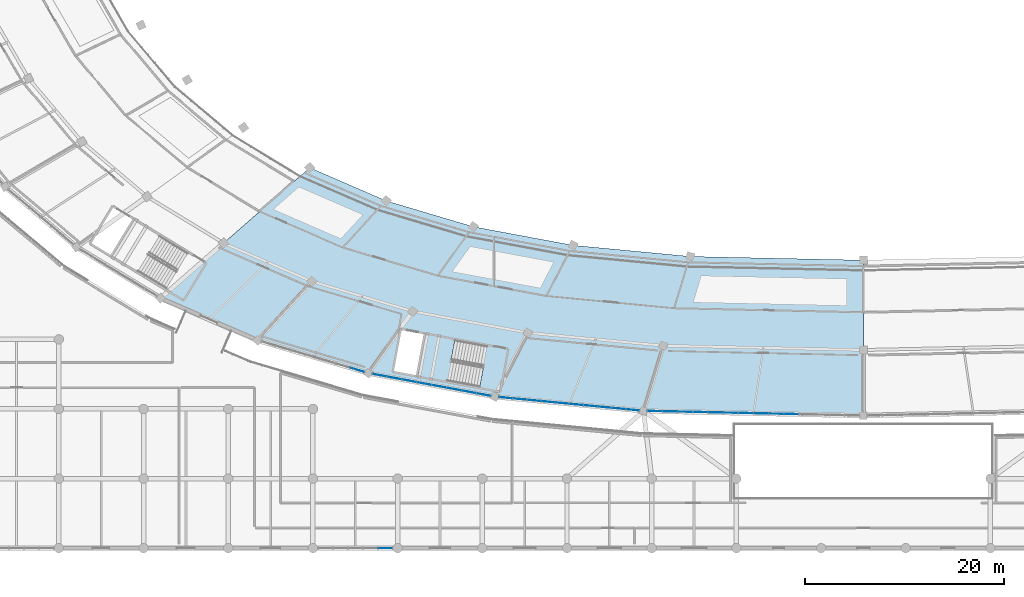
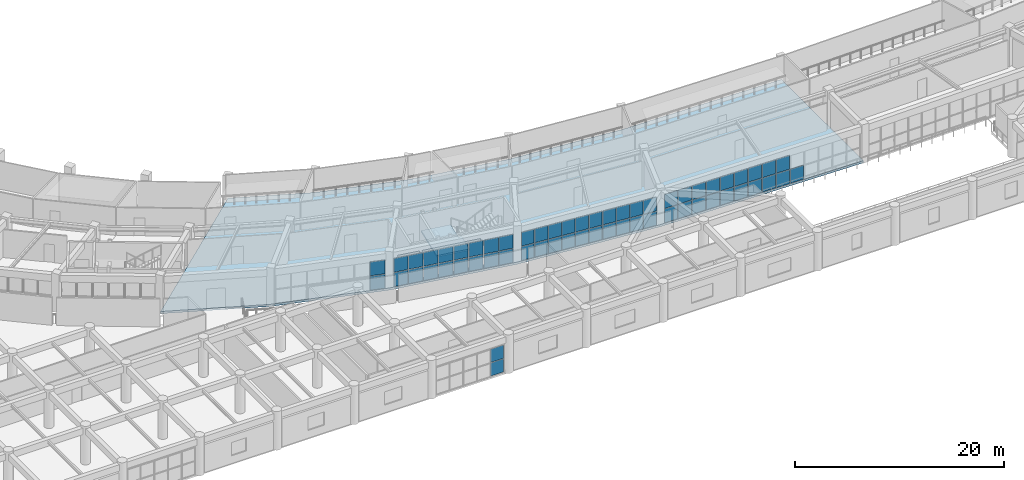
# One storey, part 73 of 141: 59 plates, 2 slabs, 6 elements without a shape of their own.
"""IFC4 building model written with IfcOpenShell, lengths in metres."""

from ifc_helpers import new_model, si_unit, direction, frame, origin, origin_2d, place, context, subcontext, project, spatial, polyline, rectangle, outline, extrude, material, layer, layer_set, type_object, element, aggregate, save


model = new_model("IFC4")

# Units and contexts
model_context = context("Model", 3, precision=1e-05, world=origin(), true_north=direction((0.0, 1.0)))
body_context = subcontext(model_context, "Body", "Model", "MODEL_VIEW")
ifc_project = project(units=[si_unit("LENGTHUNIT", "METRE"), si_unit("AREAUNIT", "SQUARE_METRE"), si_unit("VOLUMEUNIT", "CUBIC_METRE"), si_unit("PLANEANGLEUNIT", "RADIAN"), si_unit("MASSUNIT", "GRAM", prefix="KILO")], contexts=[model_context])

# Site, building, storey
site_placement = place(None, origin())
site = spatial("IfcSite", under=ifc_project, at=site_placement, CompositionType="ELEMENT")
building_placement = place(site_placement, origin())
building = spatial("IfcBuilding", under=site, at=building_placement, Name="Mphavela Belvedere Stadium", CompositionType="ELEMENT")
storey_placement = place(building_placement, frame((0.0, 0.0, 14.699951171875)))
storey = spatial("IfcBuildingStorey", under=building, at=storey_placement, Name="L03", CompositionType="ELEMENT", Elevation=14.699951171875)

# Curtain wall, plates
ifc_material_1 = material(Name="Anodised bronze unitised curtain wall framing")
ifc_layer_1 = layer(ifc_material_1, 0.18994140625)
ifc_layer_set_1 = layer_set([ifc_layer_1], Name="Anodised bronze unitised curtain wall framing")
curtain_wall_type_1 = type_object("IfcCurtainWallType", Name="CW-UNIT-03", PredefinedType="USERDEFINED", material=ifc_layer_set_1)
curtain_wall_1_placement = place(storey_placement, origin())
curtain_wall_1 = element("IfcCurtainWall", 1, at=curtain_wall_1_placement, inside=storey, type_object=curtain_wall_type_1, Name="Belvedere colonnade curtain wall L03-33", ObjectType="UNITISED CURTAIN WALL", PredefinedType="USERDEFINED")
ifc_material_2 = material(Name="Solar-control double glazing", Category="glass")
ifc_layer_2 = layer(ifc_material_2, 0.031982421875)
ifc_layer_set_2 = layer_set([ifc_layer_2], Name="Solar-control double glazing")
plate_type = type_object("IfcPlateType", Name="CWP-SOLAR-GLASS", PredefinedType="CURTAIN_PANEL", material=ifc_layer_set_2)
plate_1_placement = place(storey_placement, frame((64.081298828125, 17.934814453125, 0.06005859375), z_axis=(0.0, 0.0, 1.0), x_axis=(0.958656747975, -0.284565000591, 0.0)))
plate_1 = element("IfcPlate", 2, at=plate_1_placement, type_object=plate_type, Name="CW-03 panel 7.1", PredefinedType="CURTAIN_PANEL", context=body_context, shape_type="SweptSolid", body=[
    extrude(rectangle(XDim=1.45556640625, YDim=0.031982421875, at=origin_2d()), origin(), (0.0, 0.0, 1.0), 1.6201171875),
])
plate_2_placement = place(storey_placement, frame((64.081298828125, 17.934814453125, 1.739990234375), z_axis=(0.0, 0.0, 1.0), x_axis=(0.958656747975, -0.284565000591, 0.0)))
plate_2 = element("IfcPlate", 3, at=plate_2_placement, type_object=plate_type, Name="CW-03 panel 7.2", PredefinedType="CURTAIN_PANEL", context=body_context, shape_type="SweptSolid", body=[
    extrude(rectangle(XDim=1.45556640625, YDim=0.031982421875, at=origin_2d()), origin(), (0.0, 0.0, 1.0), 1.6201171875),
])
aggregate(curtain_wall_1, [plate_1, plate_2])

ifc_material_3 = material(Name="Anodised bronze unitised curtain wall framing")
ifc_layer_3 = layer(ifc_material_3, 0.195068359375)
ifc_layer_set_3 = layer_set([ifc_layer_3], Name="Anodised bronze unitised curtain wall framing")
curtain_wall_type_2 = type_object("IfcCurtainWallType", Name="CW-UNIT-04", PredefinedType="USERDEFINED", material=ifc_layer_set_3)
curtain_wall_2_placement = place(storey_placement, origin())
curtain_wall_2 = element("IfcCurtainWall", 4, at=curtain_wall_2_placement, inside=storey, type_object=curtain_wall_type_2, Name="Belvedere colonnade curtain wall L03-34", ObjectType="UNITISED CURTAIN WALL", PredefinedType="USERDEFINED")
plate_3_placement = place(storey_placement, frame((66.3310546875, 17.39208984375, 0.06005859375), z_axis=(0.0, 0.0, 1.0), x_axis=(0.983096546836, -0.18308790129, 0.0)))
plate_3 = element("IfcPlate", 5, at=plate_3_placement, type_object=plate_type, Name="CW-04 panel 1.1", PredefinedType="CURTAIN_PANEL", context=body_context, shape_type="SweptSolid", body=[
    extrude(rectangle(XDim=1.427734375, YDim=0.031982421875, at=origin_2d()), origin(), (0.0, 0.0, 1.0), 1.6201171875),
])
plate_4_placement = place(storey_placement, frame((66.3310546875, 17.39208984375, 1.739990234375), z_axis=(0.0, 0.0, 1.0), x_axis=(0.983096546836, -0.18308790129, 0.0)))
plate_4 = element("IfcPlate", 6, at=plate_4_placement, type_object=plate_type, Name="CW-04 panel 1.2", PredefinedType="CURTAIN_PANEL", context=body_context, shape_type="SweptSolid", body=[
    extrude(rectangle(XDim=1.427734375, YDim=0.031982421875, at=origin_2d()), origin(), (0.0, 0.0, 1.0), 1.6201171875),
])
plate_5_placement = place(storey_placement, frame((67.814453125, 17.115966796875, 0.06005859375), z_axis=(0.0, 0.0, 1.0), x_axis=(0.983096546836, -0.18308790129, 0.0)))
plate_5 = element("IfcPlate", 7, at=plate_5_placement, type_object=plate_type, Name="CW-04 panel 2.1", PredefinedType="CURTAIN_PANEL", context=body_context, shape_type="SweptSolid", body=[
    extrude(rectangle(XDim=1.460205078125, YDim=0.031982421875, at=origin_2d()), origin(), (0.0, 0.0, 1.0), 1.6201171875),
])
plate_6_placement = place(storey_placement, frame((67.814453125, 17.115966796875, 1.739990234375), z_axis=(0.0, 0.0, 1.0), x_axis=(0.983096546836, -0.18308790129, 0.0)))
plate_6 = element("IfcPlate", 8, at=plate_6_placement, type_object=plate_type, Name="CW-04 panel 2.2", PredefinedType="CURTAIN_PANEL", context=body_context, shape_type="SweptSolid", body=[
    extrude(rectangle(XDim=1.460205078125, YDim=0.031982421875, at=origin_2d()), origin(), (0.0, 0.0, 1.0), 1.6201171875),
])
plate_7_placement = place(storey_placement, frame((69.31396484375, 16.836669921875, 0.06005859375), z_axis=(0.0, 0.0, 1.0), x_axis=(0.983096546836, -0.18308790129, 0.0)))
plate_7 = element("IfcPlate", 9, at=plate_7_placement, type_object=plate_type, Name="CW-04 panel 3.1", PredefinedType="CURTAIN_PANEL", context=body_context, shape_type="SweptSolid", body=[
    extrude(rectangle(XDim=1.460205078125, YDim=0.031982421875, at=origin_2d()), origin(), (0.0, 0.0, 1.0), 1.6201171875),
])
plate_8_placement = place(storey_placement, frame((69.31396484375, 16.836669921875, 1.739990234375), z_axis=(0.0, 0.0, 1.0), x_axis=(0.983096546836, -0.18308790129, 0.0)))
plate_8 = element("IfcPlate", 10, at=plate_8_placement, type_object=plate_type, Name="CW-04 panel 3.2", PredefinedType="CURTAIN_PANEL", context=body_context, shape_type="SweptSolid", body=[
    extrude(rectangle(XDim=1.460205078125, YDim=0.031982421875, at=origin_2d()), origin(), (0.0, 0.0, 1.0), 1.6201171875),
])
plate_9_placement = place(storey_placement, frame((70.813232421875, 16.557373046875, 0.06005859375), z_axis=(0.0, 0.0, 1.0), x_axis=(0.983096546836, -0.18308790129, 0.0)))
plate_9 = element("IfcPlate", 11, at=plate_9_placement, type_object=plate_type, Name="CW-04 panel 4.1", PredefinedType="CURTAIN_PANEL", context=body_context, shape_type="SweptSolid", body=[
    extrude(rectangle(XDim=1.460205078125, YDim=0.031982421875, at=origin_2d()), origin(), (0.0, 0.0, 1.0), 1.6201171875),
])
plate_10_placement = place(storey_placement, frame((70.813232421875, 16.557373046875, 1.739990234375), z_axis=(0.0, 0.0, 1.0), x_axis=(0.983096546836, -0.18308790129, 0.0)))
plate_10 = element("IfcPlate", 12, at=plate_10_placement, type_object=plate_type, Name="CW-04 panel 4.2", PredefinedType="CURTAIN_PANEL", context=body_context, shape_type="SweptSolid", body=[
    extrude(rectangle(XDim=1.460205078125, YDim=0.031982421875, at=origin_2d()), origin(), (0.0, 0.0, 1.0), 1.6201171875),
])
plate_11_placement = place(storey_placement, frame((72.312744140625, 16.2783203125, 0.06005859375), z_axis=(0.0, 0.0, 1.0), x_axis=(0.983096546836, -0.18308790129, 0.0)))
plate_11 = element("IfcPlate", 13, at=plate_11_placement, type_object=plate_type, Name="CW-04 panel 5.1", PredefinedType="CURTAIN_PANEL", context=body_context, shape_type="SweptSolid", body=[
    extrude(rectangle(XDim=1.460205078125, YDim=0.031982421875, at=origin_2d()), origin(), (0.0, 0.0, 1.0), 1.6201171875),
])
plate_12_placement = place(storey_placement, frame((72.312744140625, 16.2783203125, 1.739990234375), z_axis=(0.0, 0.0, 1.0), x_axis=(0.983096546836, -0.18308790129, 0.0)))
plate_12 = element("IfcPlate", 14, at=plate_12_placement, type_object=plate_type, Name="CW-04 panel 5.2", PredefinedType="CURTAIN_PANEL", context=body_context, shape_type="SweptSolid", body=[
    extrude(rectangle(XDim=1.460205078125, YDim=0.031982421875, at=origin_2d()), origin(), (0.0, 0.0, 1.0), 1.6201171875),
])
plate_13_placement = place(storey_placement, frame((73.81201171875, 15.9990234375, 0.06005859375), z_axis=(0.0, 0.0, 1.0), x_axis=(0.983096546836, -0.18308790129, 0.0)))
plate_13 = element("IfcPlate", 15, at=plate_13_placement, type_object=plate_type, Name="CW-04 panel 6.1", PredefinedType="CURTAIN_PANEL", context=body_context, shape_type="SweptSolid", body=[
    extrude(rectangle(XDim=1.460205078125, YDim=0.031982421875, at=origin_2d()), origin(), (0.0, 0.0, 1.0), 1.6201171875),
])
plate_14_placement = place(storey_placement, frame((73.81201171875, 15.9990234375, 1.739990234375), z_axis=(0.0, 0.0, 1.0), x_axis=(0.983096546836, -0.18308790129, 0.0)))
plate_14 = element("IfcPlate", 16, at=plate_14_placement, type_object=plate_type, Name="CW-04 panel 6.2", PredefinedType="CURTAIN_PANEL", context=body_context, shape_type="SweptSolid", body=[
    extrude(rectangle(XDim=1.460205078125, YDim=0.031982421875, at=origin_2d()), origin(), (0.0, 0.0, 1.0), 1.6201171875),
])
plate_15_placement = place(storey_placement, frame((75.3115234375, 15.7197265625, 0.06005859375), z_axis=(0.0, 0.0, 1.0), x_axis=(0.983096546836, -0.18308790129, 0.0)))
plate_15 = element("IfcPlate", 17, at=plate_15_placement, type_object=plate_type, Name="CW-04 panel 7.1", PredefinedType="CURTAIN_PANEL", context=body_context, shape_type="SweptSolid", body=[
    extrude(rectangle(XDim=1.460205078125, YDim=0.031982421875, at=origin_2d()), origin(), (0.0, 0.0, 1.0), 1.6201171875),
])
plate_16_placement = place(storey_placement, frame((75.3115234375, 15.7197265625, 1.739990234375), z_axis=(0.0, 0.0, 1.0), x_axis=(0.983096546836, -0.18308790129, 0.0)))
plate_16 = element("IfcPlate", 18, at=plate_16_placement, type_object=plate_type, Name="CW-04 panel 7.2", PredefinedType="CURTAIN_PANEL", context=body_context, shape_type="SweptSolid", body=[
    extrude(rectangle(XDim=1.460205078125, YDim=0.031982421875, at=origin_2d()), origin(), (0.0, 0.0, 1.0), 1.6201171875),
])
plate_17_placement = place(storey_placement, frame((76.794921875, 15.443603515625, 0.06005859375), z_axis=(0.0, 0.0, 1.0), x_axis=(0.983096546836, -0.18308790129, 0.0)))
plate_17 = element("IfcPlate", 19, at=plate_17_placement, type_object=plate_type, Name="CW-04 panel 8.1", PredefinedType="CURTAIN_PANEL", context=body_context, shape_type="SweptSolid", body=[
    extrude(rectangle(XDim=1.427734375, YDim=0.031982421875, at=origin_2d()), origin(), (0.0, 0.0, 1.0), 1.6201171875),
])
plate_18_placement = place(storey_placement, frame((76.794921875, 15.443603515625, 1.739990234375), z_axis=(0.0, 0.0, 1.0), x_axis=(0.983096546836, -0.18308790129, 0.0)))
plate_18 = element("IfcPlate", 20, at=plate_18_placement, type_object=plate_type, Name="CW-04 panel 8.2", PredefinedType="CURTAIN_PANEL", context=body_context, shape_type="SweptSolid", body=[
    extrude(rectangle(XDim=1.427734375, YDim=0.031982421875, at=origin_2d()), origin(), (0.0, 0.0, 1.0), 1.6201171875),
])
aggregate(curtain_wall_2, [plate_3, plate_4, plate_5, plate_6, plate_7, plate_8, plate_9, plate_10, plate_11, plate_12, plate_13, plate_14, plate_15, plate_16, plate_17, plate_18])

ifc_material_4 = material(Name="Anodised bronze unitised curtain wall framing")
ifc_layer_4 = layer(ifc_material_4, 0.199951171875)
ifc_layer_set_4 = layer_set([ifc_layer_4], Name="Anodised bronze unitised curtain wall framing")
curtain_wall_type_3 = type_object("IfcCurtainWallType", Name="CW-UNIT-05", PredefinedType="USERDEFINED", material=ifc_layer_set_4)
curtain_wall_3_placement = place(storey_placement, origin())
curtain_wall_3 = element("IfcCurtainWall", 21, at=curtain_wall_3_placement, inside=storey, type_object=curtain_wall_type_3, Name="Belvedere colonnade curtain wall L03-35", ObjectType="UNITISED CURTAIN WALL", PredefinedType="USERDEFINED")
plate_19_placement = place(storey_placement, frame((79.025390625, 15.1279296875, 0.06005859375), z_axis=(0.0, 0.0, 1.0), x_axis=(0.99548400913, -0.094929381996, 0.0)))
plate_19 = element("IfcPlate", 22, at=plate_19_placement, type_object=plate_type, Name="CW-05 panel 1.1", PredefinedType="CURTAIN_PANEL", context=body_context, shape_type="SweptSolid", body=[
    extrude(rectangle(XDim=1.33056640625, YDim=0.031982421875, at=origin_2d()), origin(), (0.0, 0.0, 1.0), 1.6201171875),
])
plate_20_placement = place(storey_placement, frame((79.025390625, 15.1279296875, 1.739990234375), z_axis=(0.0, 0.0, 1.0), x_axis=(0.99548400913, -0.094929381996, 0.0)))
plate_20 = element("IfcPlate", 23, at=plate_20_placement, type_object=plate_type, Name="CW-05 panel 1.2", PredefinedType="CURTAIN_PANEL", context=body_context, shape_type="SweptSolid", body=[
    extrude(rectangle(XDim=1.33056640625, YDim=0.031982421875, at=origin_2d()), origin(), (0.0, 0.0, 1.0), 1.6201171875),
])
plate_21_placement = place(storey_placement, frame((80.430908203125, 14.993896484375, 0.06005859375), z_axis=(0.0, 0.0, 1.0), x_axis=(0.99548400913, -0.094929381996, 0.0)))
plate_21 = element("IfcPlate", 24, at=plate_21_placement, type_object=plate_type, Name="CW-05 panel 2.1", PredefinedType="CURTAIN_PANEL", context=body_context, shape_type="SweptSolid", body=[
    extrude(rectangle(XDim=1.363037109375, YDim=0.031982421875, at=origin_2d()), origin(), (0.0, 0.0, 1.0), 1.6201171875),
])
plate_22_placement = place(storey_placement, frame((80.430908203125, 14.993896484375, 1.739990234375), z_axis=(0.0, 0.0, 1.0), x_axis=(0.99548400913, -0.094929381996, 0.0)))
plate_22 = element("IfcPlate", 25, at=plate_22_placement, type_object=plate_type, Name="CW-05 panel 2.2", PredefinedType="CURTAIN_PANEL", context=body_context, shape_type="SweptSolid", body=[
    extrude(rectangle(XDim=1.363037109375, YDim=0.031982421875, at=origin_2d()), origin(), (0.0, 0.0, 1.0), 1.6201171875),
])
plate_23_placement = place(storey_placement, frame((81.852294921875, 14.8583984375, 0.06005859375), z_axis=(0.0, 0.0, 1.0), x_axis=(0.99548400913, -0.094929381996, 0.0)))
plate_23 = element("IfcPlate", 26, at=plate_23_placement, type_object=plate_type, Name="CW-05 panel 3.1", PredefinedType="CURTAIN_PANEL", context=body_context, shape_type="SweptSolid", body=[
    extrude(rectangle(XDim=1.363037109375, YDim=0.031982421875, at=origin_2d()), origin(), (0.0, 0.0, 1.0), 1.6201171875),
])
plate_24_placement = place(storey_placement, frame((81.852294921875, 14.8583984375, 1.739990234375), z_axis=(0.0, 0.0, 1.0), x_axis=(0.99548400913, -0.094929381996, 0.0)))
plate_24 = element("IfcPlate", 27, at=plate_24_placement, type_object=plate_type, Name="CW-05 panel 3.2", PredefinedType="CURTAIN_PANEL", context=body_context, shape_type="SweptSolid", body=[
    extrude(rectangle(XDim=1.363037109375, YDim=0.031982421875, at=origin_2d()), origin(), (0.0, 0.0, 1.0), 1.6201171875),
])
plate_25_placement = place(storey_placement, frame((83.27392578125, 14.72265625, 0.06005859375), z_axis=(0.0, 0.0, 1.0), x_axis=(0.99548400913, -0.094929381996, 0.0)))
plate_25 = element("IfcPlate", 28, at=plate_25_placement, type_object=plate_type, Name="CW-05 panel 4.1", PredefinedType="CURTAIN_PANEL", context=body_context, shape_type="SweptSolid", body=[
    extrude(rectangle(XDim=1.363037109375, YDim=0.031982421875, at=origin_2d()), origin(), (0.0, 0.0, 1.0), 1.6201171875),
])
plate_26_placement = place(storey_placement, frame((83.27392578125, 14.72265625, 1.739990234375), z_axis=(0.0, 0.0, 1.0), x_axis=(0.99548400913, -0.094929381996, 0.0)))
plate_26 = element("IfcPlate", 29, at=plate_26_placement, type_object=plate_type, Name="CW-05 panel 4.2", PredefinedType="CURTAIN_PANEL", context=body_context, shape_type="SweptSolid", body=[
    extrude(rectangle(XDim=1.363037109375, YDim=0.031982421875, at=origin_2d()), origin(), (0.0, 0.0, 1.0), 1.6201171875),
])
plate_27_placement = place(storey_placement, frame((84.695556640625, 14.587158203125, 0.06005859375), z_axis=(0.0, 0.0, 1.0), x_axis=(0.99548400913, -0.094929381996, 0.0)))
plate_27 = element("IfcPlate", 30, at=plate_27_placement, type_object=plate_type, Name="CW-05 panel 5.1", PredefinedType="CURTAIN_PANEL", context=body_context, shape_type="SweptSolid", body=[
    extrude(rectangle(XDim=1.363037109375, YDim=0.031982421875, at=origin_2d()), origin(), (0.0, 0.0, 1.0), 1.6201171875),
])
plate_28_placement = place(storey_placement, frame((84.695556640625, 14.587158203125, 1.739990234375), z_axis=(0.0, 0.0, 1.0), x_axis=(0.99548400913, -0.094929381996, 0.0)))
plate_28 = element("IfcPlate", 31, at=plate_28_placement, type_object=plate_type, Name="CW-05 panel 5.2", PredefinedType="CURTAIN_PANEL", context=body_context, shape_type="SweptSolid", body=[
    extrude(rectangle(XDim=1.363037109375, YDim=0.031982421875, at=origin_2d()), origin(), (0.0, 0.0, 1.0), 1.6201171875),
])
plate_29_placement = place(storey_placement, frame((86.1171875, 14.45166015625, 0.06005859375), z_axis=(0.0, 0.0, 1.0), x_axis=(0.99548400913, -0.094929381996, 0.0)))
plate_29 = element("IfcPlate", 32, at=plate_29_placement, type_object=plate_type, Name="CW-05 panel 6.1", PredefinedType="CURTAIN_PANEL", context=body_context, shape_type="SweptSolid", body=[
    extrude(rectangle(XDim=1.363037109375, YDim=0.031982421875, at=origin_2d()), origin(), (0.0, 0.0, 1.0), 1.6201171875),
])
plate_30_placement = place(storey_placement, frame((86.1171875, 14.45166015625, 1.739990234375), z_axis=(0.0, 0.0, 1.0), x_axis=(0.99548400913, -0.094929381996, 0.0)))
plate_30 = element("IfcPlate", 33, at=plate_30_placement, type_object=plate_type, Name="CW-05 panel 6.2", PredefinedType="CURTAIN_PANEL", context=body_context, shape_type="SweptSolid", body=[
    extrude(rectangle(XDim=1.363037109375, YDim=0.031982421875, at=origin_2d()), origin(), (0.0, 0.0, 1.0), 1.6201171875),
])
plate_31_placement = place(storey_placement, frame((87.53857421875, 14.316162109375, 0.06005859375), z_axis=(0.0, 0.0, 1.0), x_axis=(0.99548400913, -0.094929381996, 0.0)))
plate_31 = element("IfcPlate", 34, at=plate_31_placement, type_object=plate_type, Name="CW-05 panel 7.1", PredefinedType="CURTAIN_PANEL", context=body_context, shape_type="SweptSolid", body=[
    extrude(rectangle(XDim=1.363037109375, YDim=0.031982421875, at=origin_2d()), origin(), (0.0, 0.0, 1.0), 1.6201171875),
])
plate_32_placement = place(storey_placement, frame((87.53857421875, 14.316162109375, 1.739990234375), z_axis=(0.0, 0.0, 1.0), x_axis=(0.99548400913, -0.094929381996, 0.0)))
plate_32 = element("IfcPlate", 35, at=plate_32_placement, type_object=plate_type, Name="CW-05 panel 7.2", PredefinedType="CURTAIN_PANEL", context=body_context, shape_type="SweptSolid", body=[
    extrude(rectangle(XDim=1.363037109375, YDim=0.031982421875, at=origin_2d()), origin(), (0.0, 0.0, 1.0), 1.6201171875),
])
plate_33_placement = place(storey_placement, frame((88.960205078125, 14.180419921875, 0.06005859375), z_axis=(0.0, 0.0, 1.0), x_axis=(0.99548400913, -0.094929381996, 0.0)))
plate_33 = element("IfcPlate", 36, at=plate_33_placement, type_object=plate_type, Name="CW-05 panel 8.1", PredefinedType="CURTAIN_PANEL", context=body_context, shape_type="SweptSolid", body=[
    extrude(rectangle(XDim=1.363037109375, YDim=0.031982421875, at=origin_2d()), origin(), (0.0, 0.0, 1.0), 1.6201171875),
])
plate_34_placement = place(storey_placement, frame((88.960205078125, 14.180419921875, 1.739990234375), z_axis=(0.0, 0.0, 1.0), x_axis=(0.99548400913, -0.094929381996, 0.0)))
plate_34 = element("IfcPlate", 37, at=plate_34_placement, type_object=plate_type, Name="CW-05 panel 8.2", PredefinedType="CURTAIN_PANEL", context=body_context, shape_type="SweptSolid", body=[
    extrude(rectangle(XDim=1.363037109375, YDim=0.031982421875, at=origin_2d()), origin(), (0.0, 0.0, 1.0), 1.6201171875),
])
plate_35_placement = place(storey_placement, frame((90.3818359375, 14.044921875, 0.06005859375), z_axis=(0.0, 0.0, 1.0), x_axis=(0.99548400913, -0.094929381996, 0.0)))
plate_35 = element("IfcPlate", 38, at=plate_35_placement, type_object=plate_type, Name="CW-05 panel 9.1", PredefinedType="CURTAIN_PANEL", context=body_context, shape_type="SweptSolid", body=[
    extrude(rectangle(XDim=1.363037109375, YDim=0.031982421875, at=origin_2d()), origin(), (0.0, 0.0, 1.0), 1.6201171875),
])
plate_36_placement = place(storey_placement, frame((90.3818359375, 14.044921875, 1.739990234375), z_axis=(0.0, 0.0, 1.0), x_axis=(0.99548400913, -0.094929381996, 0.0)))
plate_36 = element("IfcPlate", 39, at=plate_36_placement, type_object=plate_type, Name="CW-05 panel 9.2", PredefinedType="CURTAIN_PANEL", context=body_context, shape_type="SweptSolid", body=[
    extrude(rectangle(XDim=1.363037109375, YDim=0.031982421875, at=origin_2d()), origin(), (0.0, 0.0, 1.0), 1.6201171875),
])
plate_37_placement = place(storey_placement, frame((91.787109375, 13.910888671875, 0.06005859375), z_axis=(0.0, 0.0, 1.0), x_axis=(0.99548400913, -0.094929381996, 0.0)))
plate_37 = element("IfcPlate", 40, at=plate_37_placement, type_object=plate_type, Name="CW-05 panel 10.1", PredefinedType="CURTAIN_PANEL", context=body_context, shape_type="SweptSolid", body=[
    extrude(rectangle(XDim=1.33056640625, YDim=0.031982421875, at=origin_2d()), origin(), (0.0, 0.0, 1.0), 1.6201171875),
])
plate_38_placement = place(storey_placement, frame((91.787109375, 13.910888671875, 1.739990234375), z_axis=(0.0, 0.0, 1.0), x_axis=(0.99548400913, -0.094929381996, 0.0)))
plate_38 = element("IfcPlate", 41, at=plate_38_placement, type_object=plate_type, Name="CW-05 panel 10.2", PredefinedType="CURTAIN_PANEL", context=body_context, shape_type="SweptSolid", body=[
    extrude(rectangle(XDim=1.33056640625, YDim=0.031982421875, at=origin_2d()), origin(), (0.0, 0.0, 1.0), 1.6201171875),
])
aggregate(curtain_wall_3, [plate_19, plate_20, plate_21, plate_22, plate_23, plate_24, plate_25, plate_26, plate_27, plate_28, plate_29, plate_30, plate_31, plate_32, plate_33, plate_34, plate_35, plate_36, plate_37, plate_38])

ifc_material_5 = material(Name="Anodised bronze unitised curtain wall framing")
ifc_layer_5 = layer(ifc_material_5, 0.205078125)
ifc_layer_set_5 = layer_set([ifc_layer_5], Name="Anodised bronze unitised curtain wall framing")
curtain_wall_type_4 = type_object("IfcCurtainWallType", Name="CW-UNIT-06", PredefinedType="USERDEFINED", material=ifc_layer_set_5)
curtain_wall_4_placement = place(storey_placement, origin())
curtain_wall_4 = element("IfcCurtainWall", 42, at=curtain_wall_4_placement, inside=storey, type_object=curtain_wall_type_4, Name="Belvedere colonnade curtain wall L03-36", ObjectType="UNITISED CURTAIN WALL", PredefinedType="USERDEFINED")
plate_39_placement = place(storey_placement, frame((94.03759765625, 13.781494140625, 0.06005859375), z_axis=(0.0, 0.0, 1.0), x_axis=(0.999768179453, -0.02153107878, 0.0)))
plate_39 = element("IfcPlate", 43, at=plate_39_placement, type_object=plate_type, Name="CW-06 panel 1.1", PredefinedType="CURTAIN_PANEL", context=body_context, shape_type="SweptSolid", body=[
    extrude(rectangle(XDim=1.42919921875, YDim=0.031982421875, at=origin_2d()), origin(), (0.0, 0.0, 1.0), 1.6201171875),
])
plate_40_placement = place(storey_placement, frame((94.03759765625, 13.781494140625, 1.739990234375), z_axis=(0.0, 0.0, 1.0), x_axis=(0.999768179453, -0.02153107878, 0.0)))
plate_40 = element("IfcPlate", 44, at=plate_40_placement, type_object=plate_type, Name="CW-06 panel 1.2", PredefinedType="CURTAIN_PANEL", context=body_context, shape_type="SweptSolid", body=[
    extrude(rectangle(XDim=1.42919921875, YDim=0.031982421875, at=origin_2d()), origin(), (0.0, 0.0, 1.0), 1.6201171875),
])
plate_41_placement = place(storey_placement, frame((95.5478515625, 13.748779296875, 0.06005859375), z_axis=(0.0, 0.0, 1.0), x_axis=(0.999768179453, -0.02153107878, 0.0)))
plate_41 = element("IfcPlate", 45, at=plate_41_placement, type_object=plate_type, Name="CW-06 panel 2.1", PredefinedType="CURTAIN_PANEL", context=body_context, shape_type="SweptSolid", body=[
    extrude(rectangle(XDim=1.461669921875, YDim=0.031982421875, at=origin_2d()), origin(), (0.0, 0.0, 1.0), 1.6201171875),
])
plate_42_placement = place(storey_placement, frame((95.5478515625, 13.748779296875, 1.739990234375), z_axis=(0.0, 0.0, 1.0), x_axis=(0.999768179453, -0.02153107878, 0.0)))
plate_42 = element("IfcPlate", 46, at=plate_42_placement, type_object=plate_type, Name="CW-06 panel 2.2", PredefinedType="CURTAIN_PANEL", context=body_context, shape_type="SweptSolid", body=[
    extrude(rectangle(XDim=1.461669921875, YDim=0.031982421875, at=origin_2d()), origin(), (0.0, 0.0, 1.0), 1.6201171875),
])
plate_43_placement = place(storey_placement, frame((97.07421875, 13.716064453125, 0.06005859375), z_axis=(0.0, 0.0, 1.0), x_axis=(0.999768179453, -0.02153107878, 0.0)))
plate_43 = element("IfcPlate", 47, at=plate_43_placement, type_object=plate_type, Name="CW-06 panel 3.1", PredefinedType="CURTAIN_PANEL", context=body_context, shape_type="SweptSolid", body=[
    extrude(rectangle(XDim=1.461669921875, YDim=0.031982421875, at=origin_2d()), origin(), (0.0, 0.0, 1.0), 1.6201171875),
])
plate_44_placement = place(storey_placement, frame((97.07421875, 13.716064453125, 1.739990234375), z_axis=(0.0, 0.0, 1.0), x_axis=(0.999768179453, -0.02153107878, 0.0)))
plate_44 = element("IfcPlate", 48, at=plate_44_placement, type_object=plate_type, Name="CW-06 panel 3.2", PredefinedType="CURTAIN_PANEL", context=body_context, shape_type="SweptSolid", body=[
    extrude(rectangle(XDim=1.461669921875, YDim=0.031982421875, at=origin_2d()), origin(), (0.0, 0.0, 1.0), 1.6201171875),
])
plate_45_placement = place(storey_placement, frame((98.6005859375, 13.68310546875, 0.06005859375), z_axis=(0.0, 0.0, 1.0), x_axis=(0.999768179453, -0.02153107878, 0.0)))
plate_45 = element("IfcPlate", 49, at=plate_45_placement, type_object=plate_type, Name="CW-06 panel 4.1", PredefinedType="CURTAIN_PANEL", context=body_context, shape_type="SweptSolid", body=[
    extrude(rectangle(XDim=1.461669921875, YDim=0.031982421875, at=origin_2d()), origin(), (0.0, 0.0, 1.0), 1.6201171875),
])
plate_46_placement = place(storey_placement, frame((98.6005859375, 13.68310546875, 1.739990234375), z_axis=(0.0, 0.0, 1.0), x_axis=(0.999768179453, -0.02153107878, 0.0)))
plate_46 = element("IfcPlate", 50, at=plate_46_placement, type_object=plate_type, Name="CW-06 panel 4.2", PredefinedType="CURTAIN_PANEL", context=body_context, shape_type="SweptSolid", body=[
    extrude(rectangle(XDim=1.461669921875, YDim=0.031982421875, at=origin_2d()), origin(), (0.0, 0.0, 1.0), 1.6201171875),
])
plate_47_placement = place(storey_placement, frame((100.126953125, 13.650390625, 0.06005859375), z_axis=(0.0, 0.0, 1.0), x_axis=(0.999768179453, -0.02153107878, 0.0)))
plate_47 = element("IfcPlate", 51, at=plate_47_placement, type_object=plate_type, Name="CW-06 panel 5.1", PredefinedType="CURTAIN_PANEL", context=body_context, shape_type="SweptSolid", body=[
    extrude(rectangle(XDim=1.461669921875, YDim=0.031982421875, at=origin_2d()), origin(), (0.0, 0.0, 1.0), 1.6201171875),
])
plate_48_placement = place(storey_placement, frame((100.126953125, 13.650390625, 1.739990234375), z_axis=(0.0, 0.0, 1.0), x_axis=(0.999768179453, -0.02153107878, 0.0)))
plate_48 = element("IfcPlate", 52, at=plate_48_placement, type_object=plate_type, Name="CW-06 panel 5.2", PredefinedType="CURTAIN_PANEL", context=body_context, shape_type="SweptSolid", body=[
    extrude(rectangle(XDim=1.461669921875, YDim=0.031982421875, at=origin_2d()), origin(), (0.0, 0.0, 1.0), 1.6201171875),
])
plate_49_placement = place(storey_placement, frame((101.653076171875, 13.617431640625, 0.06005859375), z_axis=(0.0, 0.0, 1.0), x_axis=(0.999768179453, -0.02153107878, 0.0)))
plate_49 = element("IfcPlate", 53, at=plate_49_placement, type_object=plate_type, Name="CW-06 panel 6.1", PredefinedType="CURTAIN_PANEL", context=body_context, shape_type="SweptSolid", body=[
    extrude(rectangle(XDim=1.461669921875, YDim=0.031982421875, at=origin_2d()), origin(), (0.0, 0.0, 1.0), 1.6201171875),
])
plate_50_placement = place(storey_placement, frame((101.653076171875, 13.617431640625, 1.739990234375), z_axis=(0.0, 0.0, 1.0), x_axis=(0.999768179453, -0.02153107878, 0.0)))
plate_50 = element("IfcPlate", 54, at=plate_50_placement, type_object=plate_type, Name="CW-06 panel 6.2", PredefinedType="CURTAIN_PANEL", context=body_context, shape_type="SweptSolid", body=[
    extrude(rectangle(XDim=1.461669921875, YDim=0.031982421875, at=origin_2d()), origin(), (0.0, 0.0, 1.0), 1.6201171875),
])
plate_51_placement = place(storey_placement, frame((103.179443359375, 13.58447265625, 0.06005859375), z_axis=(0.0, 0.0, 1.0), x_axis=(0.999768179453, -0.02153107878, 0.0)))
plate_51 = element("IfcPlate", 55, at=plate_51_placement, type_object=plate_type, Name="CW-06 panel 7.1", PredefinedType="CURTAIN_PANEL", context=body_context, shape_type="SweptSolid", body=[
    extrude(rectangle(XDim=1.461669921875, YDim=0.031982421875, at=origin_2d()), origin(), (0.0, 0.0, 1.0), 1.6201171875),
])
plate_52_placement = place(storey_placement, frame((103.179443359375, 13.58447265625, 1.739990234375), z_axis=(0.0, 0.0, 1.0), x_axis=(0.999768179453, -0.02153107878, 0.0)))
plate_52 = element("IfcPlate", 56, at=plate_52_placement, type_object=plate_type, Name="CW-06 panel 7.2", PredefinedType="CURTAIN_PANEL", context=body_context, shape_type="SweptSolid", body=[
    extrude(rectangle(XDim=1.461669921875, YDim=0.031982421875, at=origin_2d()), origin(), (0.0, 0.0, 1.0), 1.6201171875),
])
plate_53_placement = place(storey_placement, frame((104.705810546875, 13.5517578125, 0.06005859375), z_axis=(0.0, 0.0, 1.0), x_axis=(0.999768179453, -0.02153107878, 0.0)))
plate_53 = element("IfcPlate", 57, at=plate_53_placement, type_object=plate_type, Name="CW-06 panel 8.1", PredefinedType="CURTAIN_PANEL", context=body_context, shape_type="SweptSolid", body=[
    extrude(rectangle(XDim=1.461669921875, YDim=0.031982421875, at=origin_2d()), origin(), (0.0, 0.0, 1.0), 1.6201171875),
])
plate_54_placement = place(storey_placement, frame((104.705810546875, 13.5517578125, 1.739990234375), z_axis=(0.0, 0.0, 1.0), x_axis=(0.999768179453, -0.02153107878, 0.0)))
plate_54 = element("IfcPlate", 58, at=plate_54_placement, type_object=plate_type, Name="CW-06 panel 8.2", PredefinedType="CURTAIN_PANEL", context=body_context, shape_type="SweptSolid", body=[
    extrude(rectangle(XDim=1.461669921875, YDim=0.031982421875, at=origin_2d()), origin(), (0.0, 0.0, 1.0), 1.6201171875),
])
plate_55_placement = place(storey_placement, frame((106.232177734375, 13.518798828125, 0.06005859375), z_axis=(0.0, 0.0, 1.0), x_axis=(0.999768179453, -0.02153107878, 0.0)))
plate_55 = element("IfcPlate", 59, at=plate_55_placement, type_object=plate_type, Name="CW-06 panel 9.1", PredefinedType="CURTAIN_PANEL", context=body_context, shape_type="SweptSolid", body=[
    extrude(rectangle(XDim=1.461669921875, YDim=0.031982421875, at=origin_2d()), origin(), (0.0, 0.0, 1.0), 1.6201171875),
])
plate_56_placement = place(storey_placement, frame((106.232177734375, 13.518798828125, 1.739990234375), z_axis=(0.0, 0.0, 1.0), x_axis=(0.999768179453, -0.02153107878, 0.0)))
plate_56 = element("IfcPlate", 60, at=plate_56_placement, type_object=plate_type, Name="CW-06 panel 9.2", PredefinedType="CURTAIN_PANEL", context=body_context, shape_type="SweptSolid", body=[
    extrude(rectangle(XDim=1.461669921875, YDim=0.031982421875, at=origin_2d()), origin(), (0.0, 0.0, 1.0), 1.6201171875),
])
plate_57_placement = place(storey_placement, frame((107.758544921875, 13.48583984375, 0.06005859375), z_axis=(0.0, 0.0, 1.0), x_axis=(0.999768179453, -0.02153107878, 0.0)))
plate_57 = element("IfcPlate", 61, at=plate_57_placement, type_object=plate_type, Name="CW-06 panel 10.1", PredefinedType="CURTAIN_PANEL", context=body_context, shape_type="SweptSolid", body=[
    extrude(rectangle(XDim=1.461669921875, YDim=0.031982421875, at=origin_2d()), origin(), (0.0, 0.0, 1.0), 1.6201171875),
])
aggregate(curtain_wall_4, [plate_39, plate_40, plate_41, plate_42, plate_43, plate_44, plate_45, plate_46, plate_47, plate_48, plate_49, plate_50, plate_51, plate_52, plate_53, plate_54, plate_55, plate_56, plate_57])

curtain_wall_5_placement = place(storey_placement, origin())
curtain_wall_5 = element("IfcCurtainWall", 62, at=curtain_wall_5_placement, inside=storey, type_object=curtain_wall_type_4, Name="South Axial Triumphal Peristyle Portico gallery curtain wall L03-08", ObjectType="UNITISED CURTAIN WALL", PredefinedType="USERDEFINED")
plate_58_placement = place(storey_placement, frame((66.901611328125, 0.0, 0.06005859375), z_axis=(0.0, 0.0, 1.0), x_axis=(-1.0, 0.0, 0.0)))
plate_58 = element("IfcPlate", 63, at=plate_58_placement, type_object=plate_type, Name="CW-06 panel 1.1", PredefinedType="CURTAIN_PANEL", context=body_context, shape_type="SweptSolid", body=[
    extrude(rectangle(XDim=1.4169921875, YDim=0.031982421875, at=origin_2d()), origin(), (0.0, 0.0, 1.0), 1.5400390625),
])
plate_59_placement = place(storey_placement, frame((66.901611328125, 0.0, 1.659912109375), z_axis=(0.0, 0.0, 1.0), x_axis=(-1.0, 0.0, 0.0)))
plate_59 = element("IfcPlate", 64, at=plate_59_placement, type_object=plate_type, Name="CW-06 panel 1.2", PredefinedType="CURTAIN_PANEL", context=body_context, shape_type="SweptSolid", body=[
    extrude(rectangle(XDim=1.4169921875, YDim=0.031982421875, at=origin_2d()), origin(), (0.0, 0.0, 1.0), 1.5400390625),
])
aggregate(curtain_wall_5, [plate_58, plate_59])

# Slab
ifc_material_6 = material(Name="Concrete C40/50", Category="concrete")
ifc_layer_6 = layer(ifc_material_6, 0.25)
ifc_layer_set_6 = layer_set([ifc_layer_6], Name="Concrete C40/50")
slab_type_1 = type_object("IfcSlabType", Name="SLB-CONCOURSE-250", PredefinedType="FLOOR", material=ifc_layer_set_6)
slab_1_placement = place(storey_placement, frame((0.0, 0.0, -0.25)))
element("IfcSlab", 65, at=slab_1_placement, inside=storey, type_object=slab_type_1, Name="Concourse sector slab L03-S6:2", PredefinedType="FLOOR", context=body_context, shape_type="SweptSolid", body=[
    extrude(outline(polyline([(115.0, 13.330078125), (92.885498046875, 13.80615234375), (77.92724609375, 15.232666015625), (65.19873046875, 17.60302734375), (54.0625, 20.90869140625), (44.3037109375, 25.13916015625), (59.31005859375, 38.27001953125), (66.997314453125, 34.9375), (75.769775390625, 32.33349609375), (85.79638671875, 30.46630859375), (97.57958984375, 29.342529296875), (115.0, 28.967529296875), (115.0, 13.330078125)]), holes=[polyline([(70.2099609375, 17.35888671875), (76.3994140625, 16.206298828125), (76.782958984375, 18.265869140625), (76.45263671875, 18.327392578125), (76.836181640625, 20.386962890625), (70.97705078125, 21.47802734375), (70.2099609375, 17.35888671875)]), polyline([(67.771728515625, 17.81298828125), (69.99365234375, 17.399169921875), (70.7607421875, 21.518310546875), (68.538818359375, 21.93212890625), (67.771728515625, 17.81298828125)])]), origin(), (0.0, 0.0, 1.0), 0.25),
])

# Stair, slab
ifc_material_7 = material(Name="Concrete C40/50", Category="concrete")
stair_type = type_object("IfcStairType", Name="STR-HALF-TURN-2", PredefinedType="HALF_TURN_STAIR", material=ifc_material_7)
stair_placement = place(storey_placement, origin())
stair = element("IfcStair", 66, at=stair_placement, inside=storey, type_object=stair_type, Name="L03 Escape stair core C11", PredefinedType="HALF_TURN_STAIR")
ifc_material_8 = material(Name="Concrete C40/50", Category="concrete")
ifc_layer_7 = layer(ifc_material_8, 0.199951171875)
ifc_layer_set_7 = layer_set([ifc_layer_7], Name="Concrete C40/50")
slab_type_2 = type_object("IfcSlabType", Name="SLB-LANDING-200", PredefinedType="LANDING", material=ifc_layer_set_7)
slab_2_placement = place(storey_placement, frame((0.0, 0.0, 2.050048828125)))
slab_2 = element("IfcSlab", 67, at=slab_2_placement, type_object=slab_type_2, Name="ST-C11 landing 1", PredefinedType="LANDING", context=body_context, shape_type="SweptSolid", body=[
    extrude(outline(polyline([(73.931640625, 21.0498046875), (70.9990234375, 21.59619140625), (70.18798828125, 17.240966796875), (73.469482421875, 16.6298828125), (73.875, 18.807373046875), (73.52587890625, 18.872314453125), (73.931640625, 21.0498046875)])), origin(), (0.0, 0.0, 1.0), 0.199951171875),
])
aggregate(stair, [slab_2])

save(model, "model.ifc")
